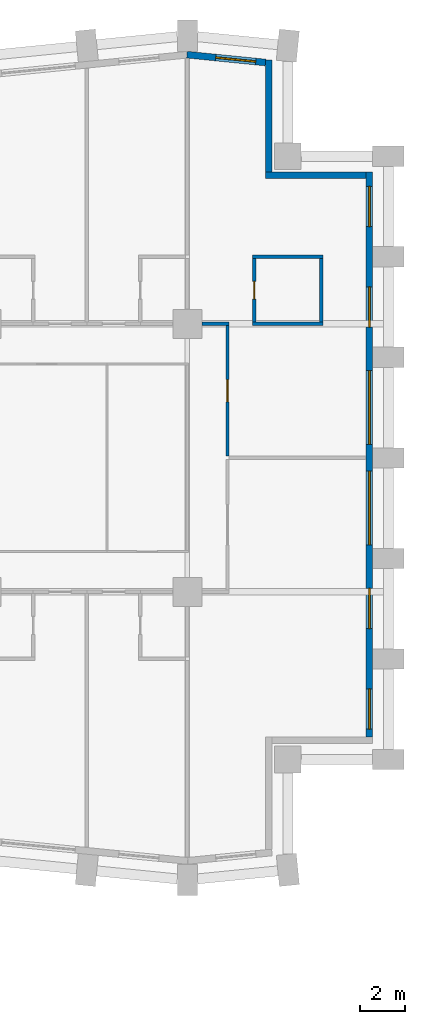
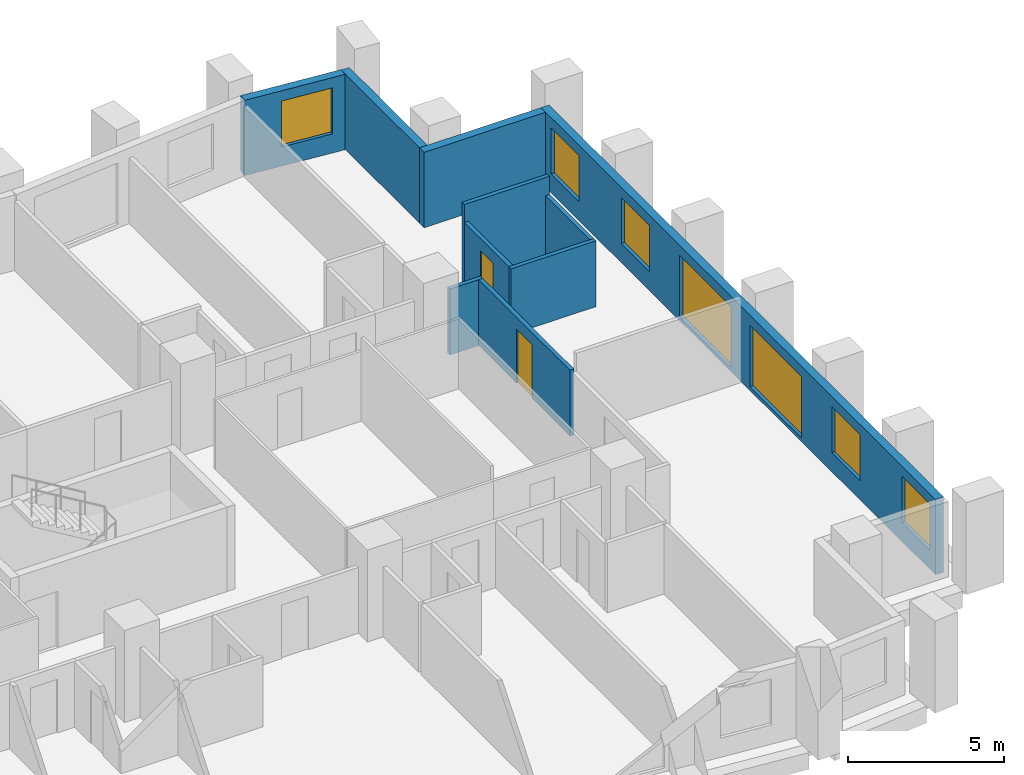
# One storey, part 10 of 13: 10 walls, 7 windows, 2 doors, 9 openings.
"""IFC4 building model written with IfcOpenShell, lengths in metres."""

from ifc_helpers import new_model, si_unit, direction, frame, frame_2d, origin, place, context, subcontext, project, spatial, rectangle, extrude, material, layer, layer_set, type_object, element, fill, save


model = new_model("IFC4")

# Units and contexts
model_context = context("Model", 3, precision=1e-05, world=origin(), true_north=direction((0.0, 1.0)))
body_context = subcontext(model_context, "Body", "Model", "MODEL_VIEW")
ifc_project = project(units=[si_unit("LENGTHUNIT", "METRE"), si_unit("AREAUNIT", "SQUARE_METRE"), si_unit("VOLUMEUNIT", "CUBIC_METRE"), si_unit("PLANEANGLEUNIT", "RADIAN"), si_unit("MASSUNIT", "GRAM", prefix="KILO")], contexts=[model_context])

# Site, building, storey
site_placement = place(None, origin())
site = spatial("IfcSite", under=ifc_project, at=site_placement, CompositionType="ELEMENT")
building_placement = place(site_placement, origin())
building = spatial("IfcBuilding", under=site, at=building_placement, Name="Brondeck Convention Tower", CompositionType="ELEMENT")
storey_placement = place(building_placement, frame((0.0, 0.0, 69.89990234375)))
storey = spatial("IfcBuildingStorey", under=building, at=storey_placement, Name="L15", CompositionType="ELEMENT", Elevation=69.89990234375)

# Wall, openings, windows
ifc_material_1 = material(Name="Precast concrete C50/60 bronze finish", Category="concrete")
ifc_layer_1 = layer(ifc_material_1, 0.070068359375, Name="Bronze precast facing")
ifc_material_2 = material(Name="Mineral wool")
ifc_layer_2 = layer(ifc_material_2, 0.159912109375, Name="Insulation")
ifc_material_3 = material(Name="Concrete C35/45", Category="concrete")
ifc_layer_3 = layer(ifc_material_3, 0.070068359375, Name="Backing")
ifc_layer_set_1 = layer_set([ifc_layer_1, ifc_layer_2, ifc_layer_3], Name="External infill wall, precast concrete C50/60 bronze facing")
wall_type_1 = type_object("IfcWallType", Name="External infill wall, precast concrete C50/60 bronze facing", PredefinedType="SOLIDWALL", material=ifc_layer_set_1)
wall_1_placement = place(storey_placement, frame((71.14990234375, 57.800048828125, 0.0), z_axis=(0.0, 0.0, 1.0), x_axis=(0.0, -1.0, 0.0)))
wall_1 = element("IfcWall", 1, at=wall_1_placement, inside=storey, type_object=wall_type_1, Name="ENV-EW-L15-P0-A-E72-01", PredefinedType="SOLIDWALL", context=body_context, shape_type="SweptSolid", body=[
    extrude(rectangle(XDim=25.302001953125, YDim=0.300048828125, at=frame_2d((12.65087890625, 0.0))), origin(), (0.0, 0.0, 1.0), 2.9501953125),
])
opening_1_placement = place(wall_1_placement, frame((0.64990234375, 0.0, 0.75)))
opening_1 = element("IfcOpeningElement", 2, at=opening_1_placement, cuts=wall_1, Name="Opening W10", PredefinedType="OPENING", context=body_context, shape_type="SweptSolid", body=[
    extrude(rectangle(XDim=1.800048828125, YDim=1.800048828125, at=frame_2d((0.89990234375, 0.89990234375))), frame((0.0, 0.159912109375, 0.0), z_axis=(0.0, -1.0, 0.0), x_axis=(1.0, 0.0, 0.0)), (0.0, 0.0, 1.0), 0.320068359375),
])
opening_2_placement = place(wall_1_placement, frame((5.14990234375, 0.0, 0.75)))
opening_2 = element("IfcOpeningElement", 3, at=opening_2_placement, cuts=wall_1, Name="Opening W10", PredefinedType="OPENING", context=body_context, shape_type="SweptSolid", body=[
    extrude(rectangle(XDim=1.800048828125, YDim=1.800048828125, at=frame_2d((0.89990234375, 0.89990234375))), frame((0.0, 0.159912109375, 0.0), z_axis=(0.0, -1.0, 0.0), x_axis=(1.0, 0.0, 0.0)), (0.0, 0.0, 1.0), 0.320068359375),
])
opening_3_placement = place(wall_1_placement, frame((8.89990234375, 0.0, 0.14990234375)))
opening_3 = element("IfcOpeningElement", 4, at=opening_3_placement, cuts=wall_1, Name="Opening W9", PredefinedType="OPENING", context=body_context, shape_type="SweptSolid", body=[
    extrude(rectangle(XDim=3.300048828125, YDim=2.39990234375, at=frame_2d((1.64990234375, 1.199951171875))), frame((0.0, 0.159912109375, 0.0), z_axis=(0.0, -1.0, 0.0), x_axis=(1.0, 0.0, 0.0)), (0.0, 0.0, 1.0), 0.320068359375),
])
opening_4_placement = place(wall_1_placement, frame((13.39990234375, 0.0, 0.14990234375)))
opening_4 = element("IfcOpeningElement", 5, at=opening_4_placement, cuts=wall_1, Name="Opening W9", PredefinedType="OPENING", context=body_context, shape_type="SweptSolid", body=[
    extrude(rectangle(XDim=3.300048828125, YDim=2.39990234375, at=frame_2d((1.64990234375, 1.199951171875))), frame((0.0, 0.159912109375, 0.0), z_axis=(0.0, -1.0, 0.0), x_axis=(1.0, 0.0, 0.0)), (0.0, 0.0, 1.0), 0.320068359375),
])
opening_5_placement = place(wall_1_placement, frame((18.64990234375, 0.0, 0.75)))
opening_5 = element("IfcOpeningElement", 6, at=opening_5_placement, cuts=wall_1, Name="Opening W10", PredefinedType="OPENING", context=body_context, shape_type="SweptSolid", body=[
    extrude(rectangle(XDim=1.800048828125, YDim=1.800048828125, at=frame_2d((0.89990234375, 0.89990234375))), frame((0.0, 0.159912109375, 0.0), z_axis=(0.0, -1.0, 0.0), x_axis=(1.0, 0.0, 0.0)), (0.0, 0.0, 1.0), 0.320068359375),
])
opening_6_placement = place(wall_1_placement, frame((23.14990234375, 0.0, 0.75)))
opening_6 = element("IfcOpeningElement", 7, at=opening_6_placement, cuts=wall_1, Name="Opening W10", PredefinedType="OPENING", context=body_context, shape_type="SweptSolid", body=[
    extrude(rectangle(XDim=1.800048828125, YDim=1.800048828125, at=frame_2d((0.89990234375, 0.89990234375))), frame((0.0, 0.159912109375, 0.0), z_axis=(0.0, -1.0, 0.0), x_axis=(1.0, 0.0, 0.0)), (0.0, 0.0, 1.0), 0.320068359375),
])
ifc_material_4 = material(Name="Bronze tinted double glazing", Category="glass")
window_type_1 = type_object("IfcWindowType", Name="Glazed flute window, bronze tinted", PartitioningType="SINGLE_PANEL", PredefinedType="WINDOW", material=ifc_material_4)
window_1_placement = place(opening_3_placement, origin())
window_1 = element("IfcWindow", 8, at=window_1_placement, inside=storey, type_object=window_type_1, Name="ENV-WN-L15-P0-A-E72-04", OverallHeight=2.39990234375, OverallWidth=3.300048828125, PartitioningType="SINGLE_PANEL", PredefinedType="WINDOW", context=body_context, shape_type="SweptSolid", body=[
    extrude(rectangle(XDim=3.300048828125, YDim=2.39990234375, at=frame_2d((1.64990234375, 1.199951171875))), frame((0.0, 0.030029296875, 0.0), z_axis=(0.0, -1.0, 0.0), x_axis=(1.0, 0.0, 0.0)), (0.0, 0.0, 1.0), 0.06005859375),
])
fill(opening_3, window_1)
window_2_placement = place(opening_4_placement, origin())
window_2 = element("IfcWindow", 9, at=window_2_placement, inside=storey, type_object=window_type_1, Name="ENV-WN-L15-P0-A-E72-03", OverallHeight=2.39990234375, OverallWidth=3.300048828125, PartitioningType="SINGLE_PANEL", PredefinedType="WINDOW", context=body_context, shape_type="SweptSolid", body=[
    extrude(rectangle(XDim=3.300048828125, YDim=2.39990234375, at=frame_2d((1.64990234375, 1.199951171875))), frame((0.0, 0.030029296875, 0.0), z_axis=(0.0, -1.0, 0.0), x_axis=(1.0, 0.0, 0.0)), (0.0, 0.0, 1.0), 0.06005859375),
])
fill(opening_4, window_2)
window_type_2 = type_object("IfcWindowType", Name="Punched window, bronze tinted", PartitioningType="SINGLE_PANEL", PredefinedType="WINDOW", material=ifc_material_4)
window_3_placement = place(opening_1_placement, origin())
window_3 = element("IfcWindow", 10, at=window_3_placement, inside=storey, type_object=window_type_2, Name="ENV-WN-L15-P0-A-E72-06", OverallHeight=1.800048828125, OverallWidth=1.800048828125, PartitioningType="SINGLE_PANEL", PredefinedType="WINDOW", context=body_context, shape_type="SweptSolid", body=[
    extrude(rectangle(XDim=1.800048828125, YDim=1.800048828125, at=frame_2d((0.89990234375, 0.89990234375))), frame((0.0, 0.030029296875, 0.0), z_axis=(0.0, -1.0, 0.0), x_axis=(1.0, 0.0, 0.0)), (0.0, 0.0, 1.0), 0.06005859375),
])
fill(opening_1, window_3)
window_4_placement = place(opening_2_placement, origin())
window_4 = element("IfcWindow", 11, at=window_4_placement, inside=storey, type_object=window_type_2, Name="ENV-WN-L15-P0-A-E72-05", OverallHeight=1.800048828125, OverallWidth=1.800048828125, PartitioningType="SINGLE_PANEL", PredefinedType="WINDOW", context=body_context, shape_type="SweptSolid", body=[
    extrude(rectangle(XDim=1.800048828125, YDim=1.800048828125, at=frame_2d((0.89990234375, 0.89990234375))), frame((0.0, 0.030029296875, 0.0), z_axis=(0.0, -1.0, 0.0), x_axis=(1.0, 0.0, 0.0)), (0.0, 0.0, 1.0), 0.06005859375),
])
fill(opening_2, window_4)
window_5_placement = place(opening_5_placement, origin())
window_5 = element("IfcWindow", 12, at=window_5_placement, inside=storey, type_object=window_type_2, Name="ENV-WN-L15-P0-A-E72-02", OverallHeight=1.800048828125, OverallWidth=1.800048828125, PartitioningType="SINGLE_PANEL", PredefinedType="WINDOW", context=body_context, shape_type="SweptSolid", body=[
    extrude(rectangle(XDim=1.800048828125, YDim=1.800048828125, at=frame_2d((0.89990234375, 0.89990234375))), frame((0.0, 0.030029296875, 0.0), z_axis=(0.0, -1.0, 0.0), x_axis=(1.0, 0.0, 0.0)), (0.0, 0.0, 1.0), 0.06005859375),
])
fill(opening_5, window_5)
window_6_placement = place(opening_6_placement, origin())
window_6 = element("IfcWindow", 13, at=window_6_placement, inside=storey, type_object=window_type_2, Name="ENV-WN-L15-P0-A-E72-01", OverallHeight=1.800048828125, OverallWidth=1.800048828125, PartitioningType="SINGLE_PANEL", PredefinedType="WINDOW", context=body_context, shape_type="SweptSolid", body=[
    extrude(rectangle(XDim=1.800048828125, YDim=1.800048828125, at=frame_2d((0.89990234375, 0.89990234375))), frame((0.0, 0.030029296875, 0.0), z_axis=(0.0, -1.0, 0.0), x_axis=(1.0, 0.0, 0.0)), (0.0, 0.0, 1.0), 0.06005859375),
])
fill(opening_6, window_6)

# Walls
wall_2_placement = place(storey_placement, frame((66.5, 57.64990234375, 0.0), z_axis=(0.0, 0.0, 1.0), x_axis=(1.0, 0.0, 0.0)))
element("IfcWall", 14, at=wall_2_placement, inside=storey, type_object=wall_type_1, Name="ENV-EW-L15-P0-NC-NEA72-01", PredefinedType="SOLIDWALL", context=body_context, shape_type="SweptSolid", body=[
    extrude(rectangle(XDim=4.5, YDim=0.300048828125, at=frame_2d((2.25, 0.0))), origin(), (0.0, 0.0, 1.0), 2.9501953125),
])
wall_3_placement = place(storey_placement, frame((66.64990234375, 62.81640625, 0.0), z_axis=(0.0, 0.0, 1.0), x_axis=(0.0, -1.0, 0.0)))
element("IfcWall", 15, at=wall_3_placement, inside=storey, type_object=wall_type_1, Name="ENV-EW-L15-P0-NC-NEA72-02", PredefinedType="SOLIDWALL", context=body_context, shape_type="SweptSolid", body=[
    extrude(rectangle(XDim=5.018310546875, YDim=0.300048828125, at=frame_2d((2.50927734375, 0.0))), origin(), (0.0, 0.0, 1.0), 2.9501953125),
])

# Wall, opening, window
wall_4_placement = place(storey_placement, frame((62.985107421875, 63.04736328125, 0.0), z_axis=(0.0, 0.0, 1.0), x_axis=(0.995031712439, -0.099558481511, 0.0)))
wall_4 = element("IfcWall", 16, at=wall_4_placement, inside=storey, type_object=wall_type_1, Name="ENV-EW-L15-P0-A-N-14", PredefinedType="SOLIDWALL", context=body_context, shape_type="SweptSolid", body=[
    extrude(rectangle(XDim=3.53125, YDim=0.300048828125, at=frame_2d((1.765625, 0.0))), origin(), (0.0, 0.0, 1.0), 2.9501953125),
])
opening_7_placement = place(wall_4_placement, frame((1.291259765625, 0.0, 0.75)))
opening_7 = element("IfcOpeningElement", 17, at=opening_7_placement, cuts=wall_4, Name="Opening W10", PredefinedType="OPENING", context=body_context, shape_type="SweptSolid", body=[
    extrude(rectangle(XDim=1.800048828125, YDim=1.800048828125, at=frame_2d((0.89990234375, 0.89990234375))), frame((0.0, 0.159912109375, 0.0), z_axis=(0.0, -1.0, 0.0), x_axis=(1.0, 0.0, 0.0)), (0.0, 0.0, 1.0), 0.320068359375),
])
window_7_placement = place(opening_7_placement, origin())
window_7 = element("IfcWindow", 18, at=window_7_placement, inside=storey, type_object=window_type_2, Name="ENV-WN-L15-P0-A-N-14", OverallHeight=1.800048828125, OverallWidth=1.800048828125, PartitioningType="SINGLE_PANEL", PredefinedType="WINDOW", context=body_context, shape_type="SweptSolid", body=[
    extrude(rectangle(XDim=1.800048828125, YDim=1.800048828125, at=frame_2d((0.89990234375, 0.89990234375))), frame((0.0, 0.030029296875, 0.0), z_axis=(0.0, -1.0, 0.0), x_axis=(1.0, 0.0, 0.0)), (0.0, 0.0, 1.0), 0.06005859375),
])
fill(opening_7, window_7)

# Wall, opening, door
ifc_material_5 = material(Name="Double gypsum board acoustic wall")
ifc_layer_4 = layer(ifc_material_5, 0.14990234375)
ifc_layer_set_2 = layer_set([ifc_layer_4], Name="Guest room party wall 150")
wall_type_2 = type_object("IfcWallType", Name="Guest room party wall 150", PredefinedType="PARTITIONING", material=ifc_layer_set_2)
wall_5_placement = place(storey_placement, frame((64.800048828125, 50.925048828125, 0.0), z_axis=(0.0, 0.0, 1.0), x_axis=(0.0, -1.0, 0.0)))
wall_5 = element("IfcWall", 19, at=wall_5_placement, inside=storey, type_object=wall_type_2, Name="FLR-L15-W094", PredefinedType="PARTITIONING", context=body_context, shape_type="SweptSolid", body=[
    extrude(rectangle(XDim=5.85009765625, YDim=0.14990234375, at=frame_2d((2.925048828125, 0.0))), origin(), (0.0, 0.0, 1.0), 2.580078125),
])
opening_8_placement = place(wall_5_placement, frame((2.425048828125, 0.0, 0.0)))
opening_8 = element("IfcOpeningElement", 20, at=opening_8_placement, cuts=wall_5, Name="Opening H4-020", PredefinedType="OPENING", context=body_context, shape_type="SweptSolid", body=[
    extrude(rectangle(XDim=1.0, YDim=2.10009765625, at=frame_2d((0.5, 1.050048828125))), frame((0.0, 0.0849609375, 0.0), z_axis=(0.0, -1.0, 0.0), x_axis=(1.0, 0.0, 0.0)), (0.0, 0.0, 1.0), 0.169921875),
])
ifc_material_6 = material(Name="Solid timber fire door leaf", Category="wood")
door_type_1 = type_object("IfcDoorType", Name="Guest room door 1000", OperationType="NOTDEFINED", PredefinedType="DOOR", material=ifc_material_6)
door_1_placement = place(opening_8_placement, origin())
door_1 = element("IfcDoor", 21, at=door_1_placement, inside=storey, type_object=door_type_1, Name="Door H4-020", OperationType="SINGLE_SWING_LEFT", OverallHeight=2.10009765625, OverallWidth=1.0, PredefinedType="DOOR", context=body_context, shape_type="SweptSolid", body=[
    extrude(rectangle(XDim=1.0, YDim=2.10009765625, at=frame_2d((0.5, 1.050048828125))), frame((0.0, 0.02490234375, 0.0), z_axis=(0.0, -1.0, 0.0), x_axis=(1.0, 0.0, 0.0)), (0.0, 0.0, 1.0), 0.050048828125),
])
fill(opening_8, door_1)

# Walls
wall_6_placement = place(storey_placement, frame((63.655029296875, 51.0, 0.0), z_axis=(0.0, 0.0, 1.0), x_axis=(1.0, 0.0, 0.0)))
element("IfcWall", 22, at=wall_6_placement, inside=storey, type_object=wall_type_2, Name="FLR-L15-W105", PredefinedType="PARTITIONING", context=body_context, shape_type="SweptSolid", body=[
    extrude(rectangle(XDim=1.219970703125, YDim=0.14990234375, at=frame_2d((0.60986328125, 0.0))), origin(), (0.0, 0.0, 1.0), 2.580078125),
])
wall_7_placement = place(storey_placement, frame((65.925048828125, 51.0, 0.0), z_axis=(0.0, 0.0, 1.0), x_axis=(1.0, 0.0, 0.0)))
element("IfcWall", 23, at=wall_7_placement, inside=storey, type_object=wall_type_2, Name="FLR-L15-W106", PredefinedType="PARTITIONING", context=body_context, shape_type="SweptSolid", body=[
    extrude(rectangle(XDim=3.14990234375, YDim=0.14990234375, at=frame_2d((1.574951171875, 0.0))), origin(), (0.0, 0.0, 1.0), 2.580078125),
])
wall_8_placement = place(storey_placement, frame((69.0, 51.074951171875, 0.0), z_axis=(0.0, 0.0, 1.0), x_axis=(0.0, 1.0, 0.0)))
element("IfcWall", 24, at=wall_8_placement, inside=storey, type_object=wall_type_2, Name="FLR-L15-W110", PredefinedType="PARTITIONING", context=body_context, shape_type="SweptSolid", body=[
    extrude(rectangle(XDim=2.85009765625, YDim=0.14990234375, at=frame_2d((1.425048828125, 0.0))), origin(), (0.0, 0.0, 1.0), 2.580078125),
])

# Wall, opening, door
wall_9_placement = place(storey_placement, frame((66.0, 53.925048828125, 0.0), z_axis=(0.0, 0.0, 1.0), x_axis=(0.0, -1.0, 0.0)))
wall_9 = element("IfcWall", 25, at=wall_9_placement, inside=storey, type_object=wall_type_2, Name="FLR-L15-W118", PredefinedType="PARTITIONING", context=body_context, shape_type="SweptSolid", body=[
    extrude(rectangle(XDim=2.85009765625, YDim=0.14990234375, at=frame_2d((1.425048828125, 0.0))), origin(), (0.0, 0.0, 1.0), 2.580078125),
])
opening_9_placement = place(wall_9_placement, frame((1.02490234375, 0.0, 0.0)))
opening_9 = element("IfcOpeningElement", 26, at=opening_9_placement, cuts=wall_9, Name="Opening H4-021", PredefinedType="OPENING", context=body_context, shape_type="SweptSolid", body=[
    extrude(rectangle(XDim=0.800048828125, YDim=2.10009765625, at=frame_2d((0.39990234375, 1.050048828125))), frame((0.0, 0.0849609375, 0.0), z_axis=(0.0, -1.0, 0.0), x_axis=(1.0, 0.0, 0.0)), (0.0, 0.0, 1.0), 0.169921875),
])
ifc_material_7 = material(Name="Solid timber door leaf", Category="wood")
door_type_2 = type_object("IfcDoorType", Name="En-suite door 800", OperationType="NOTDEFINED", PredefinedType="DOOR", material=ifc_material_7)
door_2_placement = place(opening_9_placement, origin())
door_2 = element("IfcDoor", 27, at=door_2_placement, inside=storey, type_object=door_type_2, Name="Door H4-021", OperationType="SINGLE_SWING_RIGHT", OverallHeight=2.10009765625, OverallWidth=0.800048828125, PredefinedType="DOOR", context=body_context, shape_type="SweptSolid", body=[
    extrude(rectangle(XDim=0.800048828125, YDim=2.10009765625, at=frame_2d((0.39990234375, 1.050048828125))), frame((0.0, 0.02490234375, 0.0), z_axis=(0.0, -1.0, 0.0), x_axis=(1.0, 0.0, 0.0)), (0.0, 0.0, 1.0), 0.050048828125),
])
fill(opening_9, door_2)

# Wall
wall_10_placement = place(storey_placement, frame((69.074951171875, 54.0, 0.0), z_axis=(0.0, 0.0, 1.0), x_axis=(-1.0, 0.0, 0.0)))
element("IfcWall", 28, at=wall_10_placement, inside=storey, type_object=wall_type_2, Name="FLR-L15-W123", PredefinedType="PARTITIONING", context=body_context, shape_type="SweptSolid", body=[
    extrude(rectangle(XDim=3.14990234375, YDim=0.14990234375, at=frame_2d((1.574951171875, 0.0))), origin(), (0.0, 0.0, 1.0), 3.280029296875),
])

save(model, "model.ifc")
